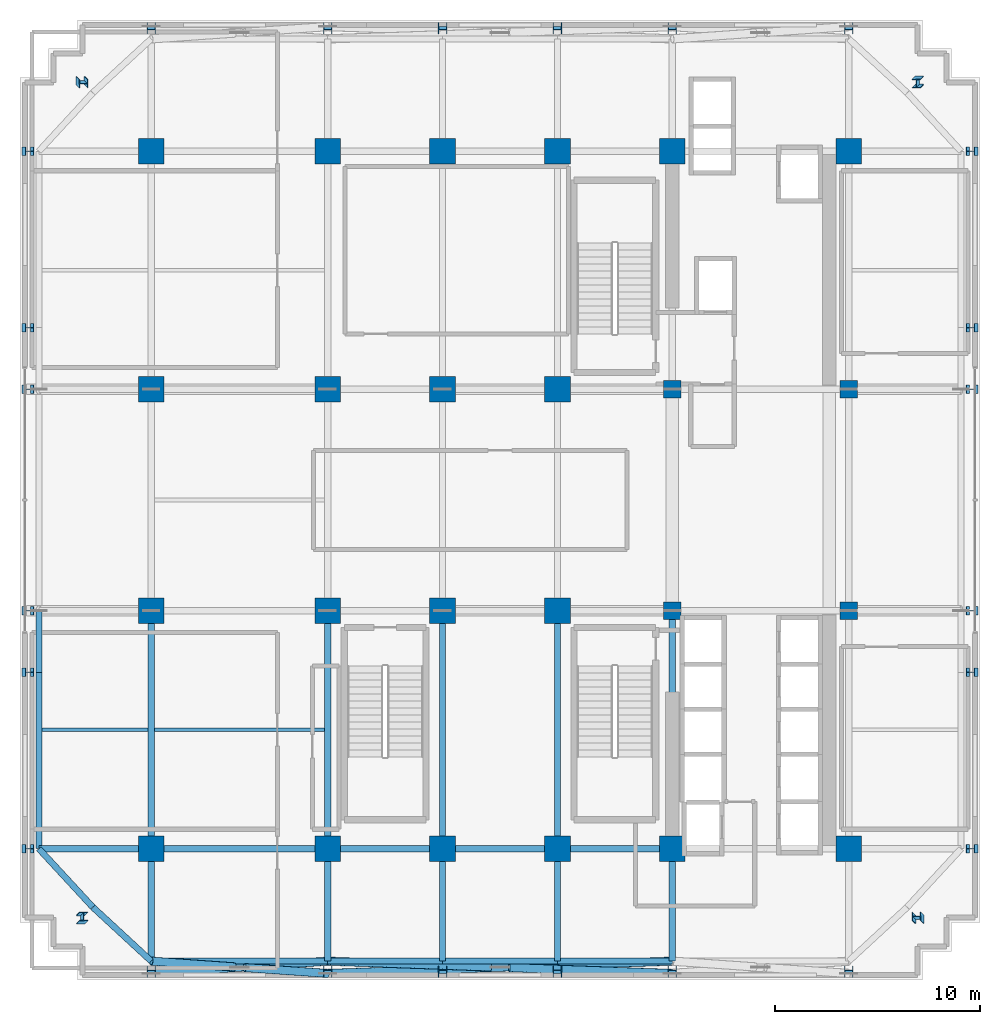
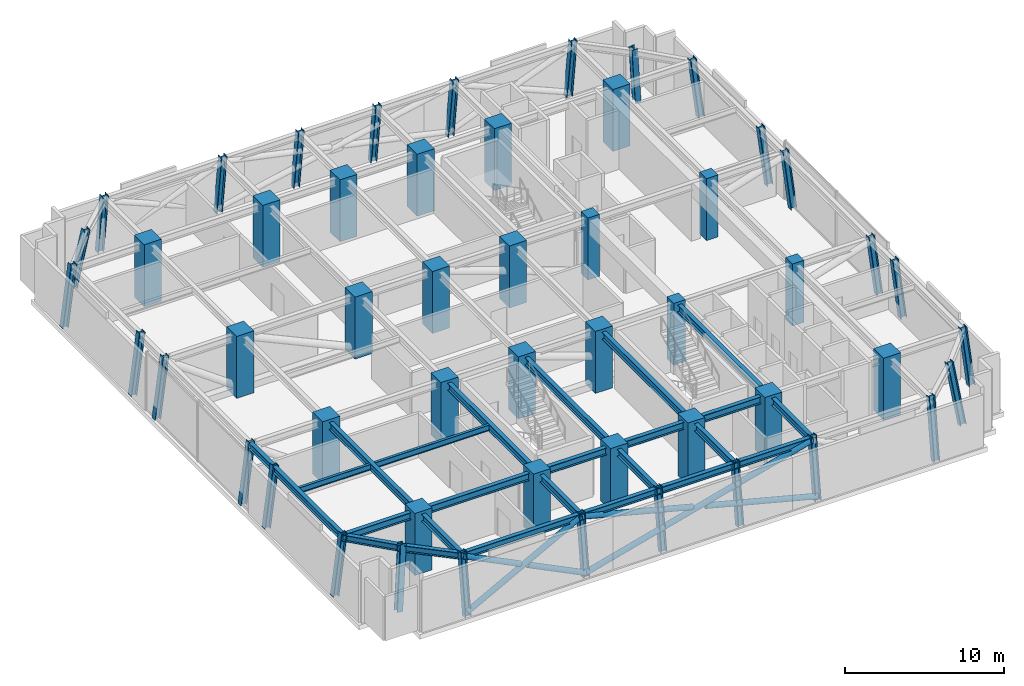
# One storey, part 1 of 15: 52 columns, 25 beams, 6 members.
"""IFC4 building model written with IfcOpenShell, lengths in metres."""

from ifc_helpers import new_model, si_unit, direction, frame, origin, origin_2d, place, context, subcontext, project, spatial, rectangle, hollow_circle, i_section, extrude, source, transform, mapped, material, material_profile, profile_set, type_object, element, save


model = new_model("IFC4")

# Units and contexts
model_context = context("Model", 3, precision=1e-05, world=origin(), true_north=direction((0.0, 1.0)))
body_context = subcontext(model_context, "Body", "Model", "MODEL_VIEW")
ifc_project = project(units=[si_unit("LENGTHUNIT", "METRE"), si_unit("AREAUNIT", "SQUARE_METRE"), si_unit("VOLUMEUNIT", "CUBIC_METRE"), si_unit("PLANEANGLEUNIT", "RADIAN"), si_unit("MASSUNIT", "GRAM", prefix="KILO")], contexts=[model_context])

# Site, building, storey
site_placement = place(None, origin())
site = spatial("IfcSite", under=ifc_project, at=site_placement, CompositionType="ELEMENT")
building_placement = place(site_placement, origin())
building = spatial("IfcBuilding", under=site, at=building_placement, Name="Nahalor Promenade Grand Hotel", CompositionType="ELEMENT")
storey_placement = place(building_placement, frame((0.0, 0.0, 144.199951171875)))
storey = spatial("IfcBuildingStorey", under=building, at=storey_placement, Name="L36", CompositionType="ELEMENT", Elevation=144.199951171875)

# Columns
ifc_material_1 = material(Name="Concrete B-60 (C50/60)", Category="concrete")
ifc_material_profile_1 = material_profile(ifc_material_1, rectangle(XDim=1.25, YDim=1.25, at=origin_2d()), Name="RC 1250x1250")
ifc_profile_set_1 = profile_set([ifc_material_profile_1], Name="Concrete B-60 (C50/60)")
column_type_1 = type_object("IfcColumnType", Name="Col-RC-1250", PredefinedType="COLUMN", material=ifc_profile_set_1)
shared_shape_1 = source(origin(), body_context, "Body", "SweptSolid", [
    extrude(rectangle(XDim=1.25, YDim=1.25, at=origin_2d()), origin(), (0.0, 0.0, 1.0), 4.755126953125),
])
for number, where, z_axis, x_axis, name in (
    (1, (-17.0, -17.0, 0.0), (0.0, 0.0, 1.0), (1.0, 0.0, 0.0), "COL-L36-I00"),
    (2, (-17.0, -5.39990234375, 0.0), (0.0, 0.0, 1.0), (1.0, 0.0, 0.0), "COL-L36-I01"),
    (3, (-17.0, 5.39990234375, 0.0), (0.0, 0.0, 1.0), (1.0, 0.0, 0.0), "COL-L36-I02"),
    (4, (-17.0, 17.0, 0.0), (0.0, 0.0, 1.0), (1.0, 0.0, 0.0), "COL-L36-I03"),
    (5, (-8.39990234375, -17.0, 0.0), (0.0, 0.0, 1.0), (1.0, 0.0, 0.0), "COL-L36-I10"),
    (6, (-8.39990234375, -5.39990234375, 0.0), (0.0, 0.0, 1.0), (1.0, 0.0, 0.0), "COL-L36-I11"),
    (7, (-8.39990234375, 5.39990234375, 0.0), (0.0, 0.0, 1.0), (1.0, 0.0, 0.0), "COL-L36-I12"),
    (8, (-8.39990234375, 17.0, 0.0), (0.0, 0.0, 1.0), (1.0, 0.0, 0.0), "COL-L36-I13"),
    (9, (-2.800048828125, -17.0, 0.0), (0.0, 0.0, 1.0), (1.0, 0.0, 0.0), "COL-L36-I20"),
    (10, (-2.800048828125, -5.39990234375, 0.0), (0.0, 0.0, 1.0), (1.0, 0.0, 0.0), "COL-L36-I21"),
    (11, (-2.800048828125, 5.39990234375, 0.0), (0.0, 0.0, 1.0), (1.0, 0.0, 0.0), "COL-L36-I22"),
    (12, (-2.800048828125, 17.0, 0.0), (0.0, 0.0, 1.0), (1.0, 0.0, 0.0), "COL-L36-I23"),
    (13, (2.800048828125, -17.0, 0.0), (0.0, 0.0, 1.0), (1.0, 0.0, 0.0), "COL-L36-I30"),
    (14, (2.800048828125, -5.39990234375, 0.0), (0.0, 0.0, 1.0), (1.0, 0.0, 0.0), "COL-L36-I31"),
    (15, (2.800048828125, 5.39990234375, 0.0), (0.0, 0.0, 1.0), (1.0, 0.0, 0.0), "COL-L36-I32"),
    (16, (2.800048828125, 17.0, 0.0), (0.0, 0.0, 1.0), (1.0, 0.0, 0.0), "COL-L36-I33"),
    (17, (8.39990234375, -17.0, 0.0), (0.0, 0.0, 1.0), (1.0, 0.0, 0.0), "COL-L36-I40"),
    (18, (8.39990234375, 17.0, 0.0), (0.0, 0.0, 1.0), (1.0, 0.0, 0.0), "COL-L36-I43"),
    (19, (17.0, -17.0, 0.0), (0.0, 0.0, 1.0), (1.0, 0.0, 0.0), "COL-L36-I50"),
    (20, (17.0, 17.0, 0.0), (0.0, 0.0, 1.0), (1.0, 0.0, 0.0), "COL-L36-I53"),
):
    element("IfcColumn", number, at=place(storey_placement, frame(where, z_axis=z_axis, x_axis=x_axis)), inside=storey, type_object=column_type_1, Name=name, PredefinedType="COLUMN", context=body_context, shape_type="MappedRepresentation", body=[
        mapped(shared_shape_1, transform((0.0, 0.0, 0.0), scale=1.0)),
    ])
ifc_material_2 = material(Name="Concrete B-70 (C60/75)", Category="concrete")
ifc_material_profile_2 = material_profile(ifc_material_2, rectangle(XDim=0.85, YDim=0.85, at=origin_2d()), Name="RC 850x850")
ifc_profile_set_2 = profile_set([ifc_material_profile_2], Name="Concrete B-70 (C60/75)")
column_type_2 = type_object("IfcColumnType", Name="Col-Pilaster-850", PredefinedType="PILASTER", material=ifc_profile_set_2)
shared_shape_2 = source(origin(), body_context, "Body", "SweptSolid", [
    extrude(rectangle(XDim=0.85, YDim=0.85, at=origin_2d()), origin(), (0.0, 0.0, 1.0), 4.755126953125),
])
for number, where, z_axis, x_axis, name in (
    (21, (8.39990234375, -5.39990234375, 0.0), (0.0, 0.0, 1.0), (1.0, 0.0, 0.0), "COL-L36-I41"),
    (22, (8.39990234375, 5.39990234375, 0.0), (0.0, 0.0, 1.0), (1.0, 0.0, 0.0), "COL-L36-I42"),
    (23, (17.0, -5.39990234375, 0.0), (0.0, 0.0, 1.0), (1.0, 0.0, 0.0), "COL-L36-I51"),
    (24, (17.0, 5.39990234375, 0.0), (0.0, 0.0, 1.0), (1.0, 0.0, 0.0), "COL-L36-I52"),
):
    element("IfcColumn", number, at=place(storey_placement, frame(where, z_axis=z_axis, x_axis=x_axis)), inside=storey, type_object=column_type_2, Name=name, PredefinedType="PILASTER", context=body_context, shape_type="MappedRepresentation", body=[
        mapped(shared_shape_2, transform((0.0, 0.0, 0.0), scale=1.0)),
    ])
ifc_material_3 = material(Name="Steel S355J2", Category="steel")
ifc_material_profile_3 = material_profile(ifc_material_3, i_section(OverallWidth=0.409, OverallDepth=0.43, WebThickness=0.0208, FlangeThickness=0.0335, at=origin_2d()), Name="HD 400x421")
ifc_profile_set_3 = profile_set([ifc_material_profile_3], Name="Steel S355J2")
column_type_3 = type_object("IfcColumnType", Name="Col-Steel-HD421", PredefinedType="COLUMN", material=ifc_profile_set_3)
shared_shape_3 = source(origin(), body_context, "Body", "SweptSolid", [
    extrude(i_section(OverallWidth=0.409, OverallDepth=0.43, WebThickness=0.0208, FlangeThickness=0.0335, at=origin_2d()), origin(), (0.0, 0.0, 1.0), 4.693603515625),
])
for number, where, z_axis, x_axis, name in (
    (25, (-23.080078125, -17.0, 0.0), (0.127855804376, 0.0, 0.991792767309), (0.0, 1.0, 0.0), "COL-L36-PW-W0"),
    (26, (23.080078125, -17.0, 0.0), (-0.127855804376, 0.0, 0.991792767309), (0.0, -1.0, 0.0), "COL-L36-PW-E0"),
    (27, (-23.080078125, -8.39990234375, 0.0), (0.127855804376, 0.0, 0.991792767309), (0.0, 1.0, 0.0), "COL-L36-PW-W1"),
    (28, (23.080078125, -8.39990234375, 0.0), (-0.127855804376, 0.0, 0.991792767309), (0.0, -1.0, 0.0), "COL-L36-PW-E1"),
    (29, (-23.080078125, -5.39990234375, 0.0), (0.127855804376, 0.0, 0.991792767309), (0.0, 1.0, 0.0), "COL-L36-PW-W2"),
    (30, (23.080078125, -5.39990234375, 0.0), (-0.127855804376, 0.0, 0.991792767309), (0.0, -1.0, 0.0), "COL-L36-PW-E2"),
    (31, (-23.080078125, 5.39990234375, 0.0), (0.127855804376, 0.0, 0.991792767309), (0.0, 1.0, 0.0), "COL-L36-PW-W3"),
    (32, (23.080078125, 5.39990234375, 0.0), (-0.127855804376, 0.0, 0.991792767309), (0.0, -1.0, 0.0), "COL-L36-PW-E3"),
    (33, (-23.080078125, 8.39990234375, 0.0), (0.127855804376, 0.0, 0.991792767309), (0.0, 1.0, 0.0), "COL-L36-PW-W4"),
    (34, (23.080078125, 8.39990234375, 0.0), (-0.127855804376, 0.0, 0.991792767309), (0.0, -1.0, 0.0), "COL-L36-PW-E4"),
    (35, (-23.080078125, 17.0, 0.0), (0.127855804376, 0.0, 0.991792767309), (0.0, 1.0, 0.0), "COL-L36-PW-W5"),
    (36, (23.080078125, 17.0, 0.0), (-0.127855804376, 0.0, 0.991792767309), (0.0, -1.0, 0.0), "COL-L36-PW-E5"),
    (37, (-17.0, -23.080078125, 0.0), (0.0, 0.127855804376, 0.991792767309), (0.0, -0.991792767309, 0.127855804376), "COL-L36-PN-S0"),
    (38, (-17.0, 23.080078125, 0.0), (0.0, -0.127855804376, 0.991792767309), (0.0, 0.991792767309, 0.127855804376), "COL-L36-PN-N0"),
    (39, (-8.39990234375, -23.080078125, 0.0), (0.0, 0.127855804376, 0.991792767309), (0.0, -0.991792767309, 0.127855804376), "COL-L36-PN-S1"),
    (40, (-8.39990234375, 23.080078125, 0.0), (0.0, -0.127855804376, 0.991792767309), (0.0, 0.991792767309, 0.127855804376), "COL-L36-PN-N1"),
    (41, (-2.800048828125, -23.080078125, 0.0), (0.0, 0.127855804376, 0.991792767309), (0.0, -0.991792767309, 0.127855804376), "COL-L36-PN-S2"),
    (42, (-2.800048828125, 23.080078125, 0.0), (0.0, -0.127855804376, 0.991792767309), (0.0, 0.991792767309, 0.127855804376), "COL-L36-PN-N2"),
    (43, (2.800048828125, -23.080078125, 0.0), (0.0, 0.127855804376, 0.991792767309), (0.0, -0.991792767309, 0.127855804376), "COL-L36-PN-S3"),
    (44, (2.800048828125, 23.080078125, 0.0), (0.0, -0.127855804376, 0.991792767309), (0.0, 0.991792767309, 0.127855804376), "COL-L36-PN-N3"),
    (45, (8.39990234375, -23.080078125, 0.0), (0.0, 0.127855804376, 0.991792767309), (0.0, -0.991792767309, 0.127855804376), "COL-L36-PN-S4"),
    (46, (8.39990234375, 23.080078125, 0.0), (0.0, -0.127855804376, 0.991792767309), (0.0, 0.991792767309, 0.127855804376), "COL-L36-PN-N4"),
    (47, (17.0, -23.080078125, 0.0), (0.0, 0.127855804376, 0.991792767309), (0.0, -0.991792767309, 0.127855804376), "COL-L36-PN-S5"),
    (48, (17.0, 23.080078125, 0.0), (0.0, -0.127855804376, 0.991792767309), (0.0, 0.991792767309, 0.127855804376), "COL-L36-PN-N5"),
):
    element("IfcColumn", number, at=place(storey_placement, frame(where, z_axis=z_axis, x_axis=x_axis)), inside=storey, type_object=column_type_3, Name=name, PredefinedType="COLUMN", context=body_context, shape_type="MappedRepresentation", body=[
        mapped(shared_shape_3, transform((0.0, 0.0, 0.0), scale=1.0)),
    ])
shared_shape_4 = source(origin(), body_context, "Body", "SweptSolid", [
    extrude(i_section(OverallWidth=0.409, OverallDepth=0.43, WebThickness=0.0208, FlangeThickness=0.0335, at=origin_2d()), origin(), (0.0, 0.0, 1.0), 4.731689453125),
])
for number, where, z_axis, x_axis, name in (
    (49, (-20.449951171875, -20.449951171875, 0.0), (0.126773471153, 0.126773471153, 0.983797222005), (-0.991898611002, 0.008101388998, 0.126773471153), "COL-L36-CRN-SW"),
    (50, (-20.449951171875, 20.449951171875, 0.0), (0.126773471153, -0.126773471153, 0.983797222005), (0.008101388998, 0.991898611002, 0.126773471153), "COL-L36-CRN-NW"),
    (51, (20.449951171875, -20.449951171875, 0.0), (-0.126773471153, 0.126773471153, 0.983797222005), (-0.008101388998, -0.991898611002, 0.126773471153), "COL-L36-CRN-SE"),
    (52, (20.449951171875, 20.449951171875, 0.0), (-0.126773471153, -0.126773471153, 0.983797222005), (0.991898611002, -0.008101388998, 0.126773471153), "COL-L36-CRN-NE"),
):
    element("IfcColumn", number, at=place(storey_placement, frame(where, z_axis=z_axis, x_axis=x_axis)), inside=storey, type_object=column_type_3, Name=name, PredefinedType="COLUMN", context=body_context, shape_type="MappedRepresentation", body=[
        mapped(shared_shape_4, transform((0.0, 0.0, 0.0), scale=1.0)),
    ])

# Beams
ifc_material_4 = material(Name="Steel S355JR", Category="steel")
ifc_material_profile_4 = material_profile(ifc_material_4, i_section(OverallWidth=0.3, OverallDepth=0.5, WebThickness=0.0145, FlangeThickness=0.028, at=origin_2d()), Name="HEB 500")
ifc_profile_set_4 = profile_set([ifc_material_profile_4], Name="Steel S355JR")
beam_type_1 = type_object("IfcBeamType", Name="Beam-Spandrel-HEB500", PredefinedType="SPANDREL", material=ifc_profile_set_4)
shared_shape_5 = source(origin(), body_context, "Body", "SweptSolid", [
    extrude(i_section(OverallWidth=0.3, OverallDepth=0.5, WebThickness=0.0145, FlangeThickness=0.028, at=origin_2d()), origin(), (0.0, 0.0, 1.0), 8.60009765625),
])
for number, where, z_axis, x_axis, name in (
    (53, (-17.0, -22.47998046875, 4.2900390625), (1.0, 0.0, 0.0), (0.0, 1.0, 0.0), "BM-L36-SP-S-0"),
    (54, (-22.47998046875, -17.0, 4.2900390625), (0.0, 1.0, 0.0), (-1.0, 0.0, 0.0), "BM-L36-SP-W-0"),
):
    element("IfcBeam", number, at=place(storey_placement, frame(where, z_axis=z_axis, x_axis=x_axis)), inside=storey, type_object=beam_type_1, Name=name, PredefinedType="SPANDREL", context=body_context, shape_type="MappedRepresentation", body=[
        mapped(shared_shape_5, transform((0.0, 0.0, 0.0), scale=1.0)),
    ])
shared_shape_6 = source(origin(), body_context, "Body", "SweptSolid", [
    extrude(i_section(OverallWidth=0.3, OverallDepth=0.5, WebThickness=0.0145, FlangeThickness=0.028, at=origin_2d()), origin(), (0.0, 0.0, 1.0), 5.599853515625),
])
for number, where, z_axis, x_axis, name in (
    (55, (-8.39990234375, -22.47998046875, 4.2900390625), (1.0, 0.0, 0.0), (0.0, 1.0, 0.0), "BM-L36-SP-S-1"),
    (56, (2.800048828125, -22.47998046875, 4.2900390625), (1.0, 0.0, 0.0), (0.0, 1.0, 0.0), "BM-L36-SP-S-3"),
):
    element("IfcBeam", number, at=place(storey_placement, frame(where, z_axis=z_axis, x_axis=x_axis)), inside=storey, type_object=beam_type_1, Name=name, PredefinedType="SPANDREL", context=body_context, shape_type="MappedRepresentation", body=[
        mapped(shared_shape_6, transform((0.0, 0.0, 0.0), scale=1.0)),
    ])
shared_shape_7 = source(origin(), body_context, "Body", "SweptSolid", [
    extrude(i_section(OverallWidth=0.3, OverallDepth=0.5, WebThickness=0.0145, FlangeThickness=0.028, at=origin_2d()), origin(), (0.0, 0.0, 1.0), 5.60009765625),
])
beam_1_placement = place(storey_placement, frame((-2.800048828125, -22.47998046875, 4.2900390625), z_axis=(1.0, 0.0, 0.0), x_axis=(0.0, 1.0, 0.0)))
element("IfcBeam", 57, at=beam_1_placement, inside=storey, type_object=beam_type_1, Name="BM-L36-SP-S-2", PredefinedType="SPANDREL", context=body_context, shape_type="MappedRepresentation", body=[
    mapped(shared_shape_7, transform((0.0, 0.0, 0.0), scale=1.0)),
])
shared_shape_8 = source(origin(), body_context, "Body", "SweptSolid", [
    extrude(i_section(OverallWidth=0.3, OverallDepth=0.5, WebThickness=0.0145, FlangeThickness=0.028, at=origin_2d()), origin(), (0.0, 0.0, 1.0), 3.0),
])
beam_2_placement = place(storey_placement, frame((-22.47998046875, -8.39990234375, 4.2900390625), z_axis=(0.0, 1.0, 0.0), x_axis=(-1.0, 0.0, 0.0)))
element("IfcBeam", 58, at=beam_2_placement, inside=storey, type_object=beam_type_1, Name="BM-L36-SP-W-1", PredefinedType="SPANDREL", context=body_context, shape_type="MappedRepresentation", body=[
    mapped(shared_shape_8, transform((0.0, 0.0, 0.0), scale=1.0)),
])
ifc_material_profile_5 = material_profile(ifc_material_4, i_section(OverallWidth=0.3, OverallDepth=0.55, WebThickness=0.015, FlangeThickness=0.029, at=origin_2d()), Name="HEB 550")
ifc_profile_set_5 = profile_set([ifc_material_profile_5], Name="Steel S355JR")
beam_type_2 = type_object("IfcBeamType", Name="Beam-Girder-HEB550", PredefinedType="BEAM", material=ifc_profile_set_5)
shared_shape_9 = source(origin(), body_context, "Body", "SweptSolid", [
    extrude(i_section(OverallWidth=0.3, OverallDepth=0.55, WebThickness=0.015, FlangeThickness=0.029, at=origin_2d()), origin(), (0.0, 0.0, 1.0), 8.60009765625),
])
beam_3_placement = place(storey_placement, frame((-17.0, -17.0, 4.26513671875), z_axis=(1.0, 0.0, 0.0), x_axis=(0.0, 1.0, 0.0)))
element("IfcBeam", 59, at=beam_3_placement, inside=storey, type_object=beam_type_2, Name="BM-L36-GX-0-1", PredefinedType="BEAM", context=body_context, shape_type="MappedRepresentation", body=[
    mapped(shared_shape_9, transform((0.0, 0.0, 0.0), scale=1.0)),
])
shared_shape_10 = source(origin(), body_context, "Body", "SweptSolid", [
    extrude(i_section(OverallWidth=0.3, OverallDepth=0.55, WebThickness=0.015, FlangeThickness=0.029, at=origin_2d()), origin(), (0.0, 0.0, 1.0), 5.599853515625),
])
for number, where, z_axis, x_axis, name in (
    (60, (-8.39990234375, -17.0, 4.26513671875), (1.0, 0.0, 0.0), (0.0, 1.0, 0.0), "BM-L36-GX-0-2"),
    (61, (2.800048828125, -17.0, 4.26513671875), (1.0, 0.0, 0.0), (0.0, 1.0, 0.0), "BM-L36-GX-0-4"),
):
    element("IfcBeam", number, at=place(storey_placement, frame(where, z_axis=z_axis, x_axis=x_axis)), inside=storey, type_object=beam_type_2, Name=name, PredefinedType="BEAM", context=body_context, shape_type="MappedRepresentation", body=[
        mapped(shared_shape_10, transform((0.0, 0.0, 0.0), scale=1.0)),
    ])
shared_shape_11 = source(origin(), body_context, "Body", "SweptSolid", [
    extrude(i_section(OverallWidth=0.3, OverallDepth=0.55, WebThickness=0.015, FlangeThickness=0.029, at=origin_2d()), origin(), (0.0, 0.0, 1.0), 5.60009765625),
])
beam_4_placement = place(storey_placement, frame((-2.800048828125, -17.0, 4.26513671875), z_axis=(1.0, 0.0, 0.0), x_axis=(0.0, 1.0, 0.0)))
element("IfcBeam", 62, at=beam_4_placement, inside=storey, type_object=beam_type_2, Name="BM-L36-GX-0-3", PredefinedType="BEAM", context=body_context, shape_type="MappedRepresentation", body=[
    mapped(shared_shape_11, transform((0.0, 0.0, 0.0), scale=1.0)),
])
shared_shape_12 = source(origin(), body_context, "Body", "SweptSolid", [
    extrude(i_section(OverallWidth=0.3, OverallDepth=0.55, WebThickness=0.015, FlangeThickness=0.029, at=origin_2d()), origin(), (0.0, 0.0, 1.0), 11.60009765625),
])
for number, where, z_axis, x_axis, name in (
    (63, (-17.0, -17.0, 4.26513671875), (0.0, 1.0, 0.0), (-1.0, 0.0, 0.0), "BM-L36-GY-0-1"),
    (64, (-8.39990234375, -17.0, 4.26513671875), (0.0, 1.0, 0.0), (-1.0, 0.0, 0.0), "BM-L36-GY-1-1"),
    (65, (-2.800048828125, -17.0, 4.26513671875), (0.0, 1.0, 0.0), (-1.0, 0.0, 0.0), "BM-L36-GY-2-1"),
    (66, (2.800048828125, -17.0, 4.26513671875), (0.0, 1.0, 0.0), (-1.0, 0.0, 0.0), "BM-L36-GY-3-1"),
    (67, (8.39990234375, -17.0, 4.26513671875), (0.0, 1.0, 0.0), (-1.0, 0.0, 0.0), "BM-L36-GY-4-1"),
):
    element("IfcBeam", number, at=place(storey_placement, frame(where, z_axis=z_axis, x_axis=x_axis)), inside=storey, type_object=beam_type_2, Name=name, PredefinedType="BEAM", context=body_context, shape_type="MappedRepresentation", body=[
        mapped(shared_shape_12, transform((0.0, 0.0, 0.0), scale=1.0)),
    ])
ifc_material_profile_6 = material_profile(ifc_material_4, i_section(OverallWidth=0.19, OverallDepth=0.45, WebThickness=0.0094, FlangeThickness=0.0146, at=origin_2d()), Name="IPE 450")
ifc_profile_set_6 = profile_set([ifc_material_profile_6], Name="Steel S355JR")
beam_type_3 = type_object("IfcBeamType", Name="Beam-Joist-IPE450", PredefinedType="JOIST", material=ifc_profile_set_6)
shared_shape_13 = source(origin(), body_context, "Body", "SweptSolid", [
    extrude(i_section(OverallWidth=0.19, OverallDepth=0.45, WebThickness=0.0094, FlangeThickness=0.0146, at=origin_2d()), origin(), (0.0, 0.0, 1.0), 8.300048828125),
])
beam_5_placement = place(storey_placement, frame((-16.85009765625, -11.199951171875, 4.31494140625), z_axis=(1.0, 0.0, 0.0), x_axis=(0.0, 1.0, 0.0)))
element("IfcBeam", 68, at=beam_5_placement, inside=storey, type_object=beam_type_3, Name="BM-L36-JSW-0-1", PredefinedType="JOIST", context=body_context, shape_type="MappedRepresentation", body=[
    mapped(shared_shape_13, transform((0.0, 0.0, 0.0), scale=1.0)),
])
shared_shape_14 = source(origin(), body_context, "Body", "SweptSolid", [
    extrude(i_section(OverallWidth=0.3, OverallDepth=0.55, WebThickness=0.015, FlangeThickness=0.029, at=origin_2d()), origin(), (0.0, 0.0, 1.0), 5.47998046875),
])
for number, where, z_axis, x_axis, name in (
    (69, (-22.47998046875, -17.0, 4.26513671875), (1.0, 0.0, 0.0), (0.0, 1.0, 0.0), "BM-L36-GX-0-0"),
    (70, (-17.0, -22.47998046875, 4.26513671875), (0.0, 1.0, 0.0), (-1.0, 0.0, 0.0), "BM-L36-GY-0-0"),
    (71, (-8.39990234375, -22.47998046875, 4.26513671875), (0.0, 1.0, 0.0), (-1.0, 0.0, 0.0), "BM-L36-GY-1-0"),
    (72, (-2.800048828125, -22.47998046875, 4.26513671875), (0.0, 1.0, 0.0), (-1.0, 0.0, 0.0), "BM-L36-GY-2-0"),
    (73, (2.800048828125, -22.47998046875, 4.26513671875), (0.0, 1.0, 0.0), (-1.0, 0.0, 0.0), "BM-L36-GY-3-0"),
    (74, (8.39990234375, -22.47998046875, 4.26513671875), (0.0, 1.0, 0.0), (-1.0, 0.0, 0.0), "BM-L36-GY-4-0"),
):
    element("IfcBeam", number, at=place(storey_placement, frame(where, z_axis=z_axis, x_axis=x_axis)), inside=storey, type_object=beam_type_2, Name=name, PredefinedType="BEAM", context=body_context, shape_type="MappedRepresentation", body=[
        mapped(shared_shape_14, transform((0.0, 0.0, 0.0), scale=1.0)),
    ])
shared_shape_15 = source(origin(), body_context, "Body", "SweptSolid", [
    extrude(i_section(OverallWidth=0.3, OverallDepth=0.5, WebThickness=0.0145, FlangeThickness=0.028, at=origin_2d()), origin(), (0.0, 0.0, 1.0), 3.878173828125),
])
for number, where, z_axis, x_axis, name in (
    (75, (-17.0, -22.47998046875, 4.2900390625), (-0.73492893846, 0.678144125843, 0.0), (-0.678144125843, -0.73492893846, 0.0), "BM-L36-SPC-SW-1"),
    (76, (-19.85009765625, -19.85009765625, 4.2900390625), (-0.678144125843, 0.73492893846, 0.0), (-0.73492893846, -0.678144125843, 0.0), "BM-L36-SPC-SW-2"),
):
    element("IfcBeam", number, at=place(storey_placement, frame(where, z_axis=z_axis, x_axis=x_axis)), inside=storey, type_object=beam_type_1, Name=name, PredefinedType="SPANDREL", context=body_context, shape_type="MappedRepresentation", body=[
        mapped(shared_shape_15, transform((0.0, 0.0, 0.0), scale=1.0)),
    ])
shared_shape_16 = source(origin(), body_context, "Body", "SweptSolid", [
    extrude(i_section(OverallWidth=0.19, OverallDepth=0.45, WebThickness=0.0094, FlangeThickness=0.0146, at=origin_2d()), origin(), (0.0, 0.0, 1.0), 5.18017578125),
])
beam_6_placement = place(storey_placement, frame((-22.330078125, -11.199951171875, 4.31494140625), z_axis=(1.0, 0.0, 0.0), x_axis=(0.0, 1.0, 0.0)))
element("IfcBeam", 77, at=beam_6_placement, inside=storey, type_object=beam_type_3, Name="BM-L36-JSW-0-0", PredefinedType="JOIST", context=body_context, shape_type="MappedRepresentation", body=[
    mapped(shared_shape_16, transform((0.0, 0.0, 0.0), scale=1.0)),
])

# Members
ifc_material_profile_7 = material_profile(ifc_material_3, hollow_circle(Radius=0.2032, WallThickness=0.02, at=origin_2d()), Name="CHS 406.4x20")
ifc_profile_set_7 = profile_set([ifc_material_profile_7], Name="Steel S355J2")
member_type = type_object("IfcMemberType", Name="Mem-BeltDiag-CHS406", PredefinedType="BRACE", material=ifc_profile_set_7)
shared_shape_17 = source(origin(), body_context, "Body", "SweptSolid", [
    extrude(hollow_circle(Radius=0.2032, WallThickness=0.02, at=origin_2d()), origin(), (0.0, 0.0, 1.0), 9.48291015625),
])
member_1_placement = place(storey_placement, frame((-17.0, -23.080078125, 0.300048828125), z_axis=(0.906913337455, 0.063282603289, 0.416537525881), x_axis=(-0.069608749203, 0.997574369175, 0.0)))
element("IfcMember", 78, at=member_1_placement, inside=storey, type_object=member_type, Name="BT-L36-S-D1-0", PredefinedType="BRACE", context=body_context, shape_type="MappedRepresentation", body=[
    mapped(shared_shape_17, transform((0.0, 0.0, 0.0), scale=1.0)),
])
shared_shape_18 = source(origin(), body_context, "Body", "SweptSolid", [
    extrude(hollow_circle(Radius=0.2032, WallThickness=0.02, at=origin_2d()), origin(), (0.0, 0.0, 1.0), 4.46240234375),
])
member_2_placement = place(storey_placement, frame((-12.952880859375, -22.762451171875, 2.391357421875), z_axis=(-0.906926357608, 0.063299378401, 0.416506627283), x_axis=(-0.069626117078, -0.997573157127, 0.0)))
element("IfcMember", 79, at=member_2_placement, inside=storey, type_object=member_type, Name="BT-L36-S-D2-0B", PredefinedType="BRACE", context=body_context, shape_type="MappedRepresentation", body=[
    mapped(shared_shape_18, transform((0.0, 0.0, 0.0), scale=1.0)),
])
shared_shape_19 = source(origin(), body_context, "Body", "SweptSolid", [
    extrude(hollow_circle(Radius=0.2032, WallThickness=0.02, at=origin_2d()), origin(), (0.0, 0.0, 1.0), 4.462646484375),
])
member_3_placement = place(storey_placement, frame((-8.39990234375, -23.080078125, 0.300048828125), z_axis=(-0.906905690785, 0.06329793595, 0.416551844703), x_axis=(-0.069626117078, -0.997573157127, 0.0)))
element("IfcMember", 80, at=member_3_placement, inside=storey, type_object=member_type, Name="BT-L36-S-D2-0A", PredefinedType="BRACE", context=body_context, shape_type="MappedRepresentation", body=[
    mapped(shared_shape_19, transform((0.0, 0.0, 0.0), scale=1.0)),
])
shared_shape_20 = source(origin(), body_context, "Body", "SweptSolid", [
    extrude(hollow_circle(Radius=0.2032, WallThickness=0.02, at=origin_2d()), origin(), (0.0, 0.0, 1.0), 17.268310546875),
])
member_4_placement = place(storey_placement, frame((-8.39990234375, -23.080078125, 0.300048828125), z_axis=(0.972867212264, 0.034751316743, 0.228739444097), x_axis=(-0.035697746763, 0.999362632319, 0.0)))
element("IfcMember", 81, at=member_4_placement, inside=storey, type_object=member_type, Name="BT-L36-S-D1-1", PredefinedType="BRACE", context=body_context, shape_type="MappedRepresentation", body=[
    mapped(shared_shape_20, transform((0.0, 0.0, 0.0), scale=1.0)),
])
shared_shape_21 = source(origin(), body_context, "Body", "SweptSolid", [
    extrude(hollow_circle(Radius=0.2032, WallThickness=0.02, at=origin_2d()), origin(), (0.0, 0.0, 1.0), 8.169189453125),
])
for number, where, z_axis, x_axis, name in (
    (82, (8.39990234375, -23.080078125, 0.300048828125), (-0.972865854479, 0.034756949859, 0.228744363044), (-0.035703575683, -0.99936242409, 0.0), "BT-L36-S-D2-1A"),
    (83, (-0.452392578125, -22.763916015625, 2.38134765625), (-0.972865854479, 0.034756949859, 0.228744363044), (-0.035703575683, -0.99936242409, 0.0), "BT-L36-S-D2-1B"),
):
    element("IfcMember", number, at=place(storey_placement, frame(where, z_axis=z_axis, x_axis=x_axis)), inside=storey, type_object=member_type, Name=name, PredefinedType="BRACE", context=body_context, shape_type="MappedRepresentation", body=[
        mapped(shared_shape_21, transform((0.0, 0.0, 0.0), scale=1.0)),
    ])

save(model, "model.ifc")
